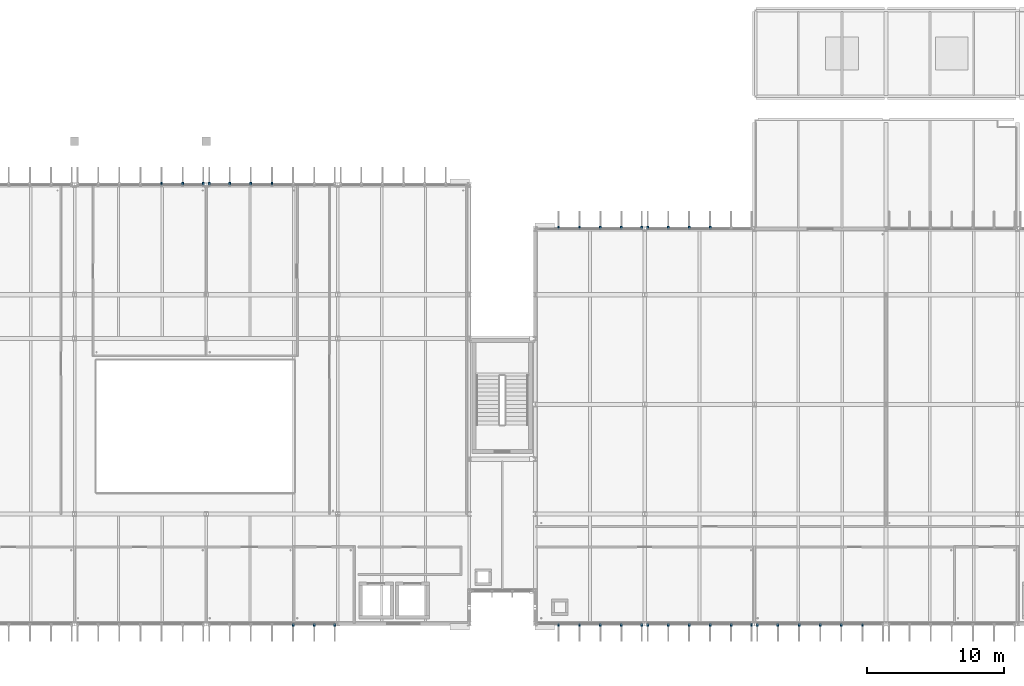
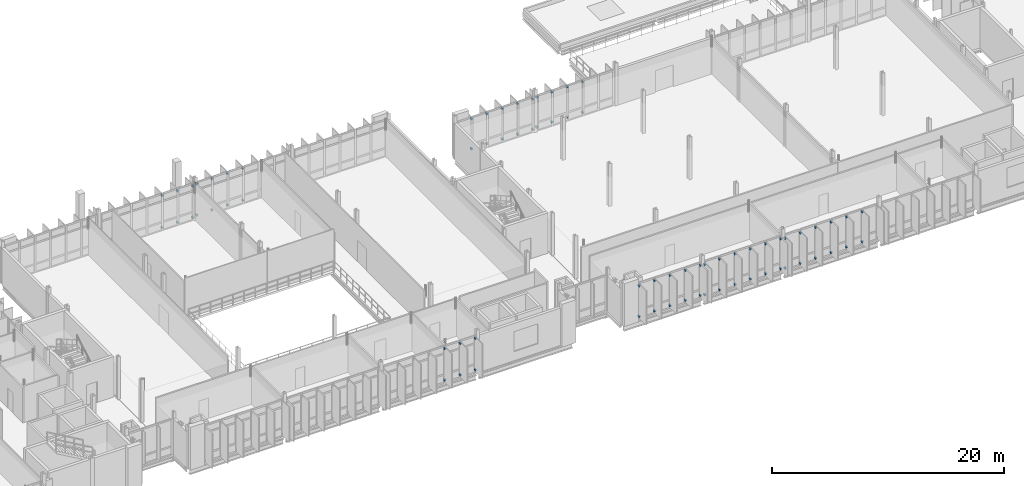
# One storey, part 96 of 110: 72 discrete accessories.
"""IFC4 building model written with IfcOpenShell, lengths in metres."""

from ifc_helpers import new_model, si_unit, direction, frame, origin, origin_2d, place, context, subcontext, project, spatial, rectangle, extrude, material, type_object, element, save


model = new_model("IFC4")

# Units and contexts
model_context = context("Model", 3, precision=1e-05, world=origin(), true_north=direction((0.0, 1.0)))
body_context = subcontext(model_context, "Body", "Model", "MODEL_VIEW")
ifc_project = project(units=[si_unit("LENGTHUNIT", "METRE"), si_unit("AREAUNIT", "SQUARE_METRE"), si_unit("VOLUMEUNIT", "CUBIC_METRE"), si_unit("PLANEANGLEUNIT", "RADIAN"), si_unit("MASSUNIT", "GRAM", prefix="KILO")], contexts=[model_context])

# Site, building, storey
site_placement = place(None, origin())
site = spatial("IfcSite", under=ifc_project, at=site_placement, CompositionType="ELEMENT")
building_placement = place(site_placement, origin())
building = spatial("IfcBuilding", under=site, at=building_placement, Name="Dunescarp Central Library", CompositionType="ELEMENT")
storey_placement = place(building_placement, frame((0.0, 0.0, 9.60009765625)))
storey = spatial("IfcBuildingStorey", under=building, at=storey_placement, Name="L02", CompositionType="ELEMENT", Elevation=9.60009765625)

# Discrete accessories
ifc_material = material(Name="Stainless steel Grade 316L", Category="steel")
discrete_accessory_type = type_object("IfcDiscreteAccessoryType", Name="ARC-ACC-BRK", PredefinedType="BRACKET", material=ifc_material)
for number, where, z_axis, x_axis, name in (
    (1, (66.985107421875, 4.719970703125, 0.27685546875), (0.0, 0.0, 1.0), (0.0, -1.0, 0.0), "Fin bracket BRK-FIN-L02-0391-B"),
    (2, (66.985107421875, 4.719970703125, 3.5947265625), (0.0, 0.0, 1.0), (0.0, -1.0, 0.0), "Fin bracket BRK-FIN-L02-0391-T"),
    (3, (65.48291015625, 4.719970703125, 0.2900390625), (0.0, 0.0, 1.0), (0.0, -1.0, 0.0), "Fin bracket BRK-FIN-L02-0392-B"),
    (4, (65.48291015625, 4.719970703125, 3.5947265625), (0.0, 0.0, 1.0), (0.0, -1.0, 0.0), "Fin bracket BRK-FIN-L02-0392-T"),
    (5, (63.94189453125, 4.719970703125, 0.27392578125), (0.0, 0.0, 1.0), (0.0, -1.0, 0.0), "Fin bracket BRK-FIN-L02-0393-B"),
    (6, (63.94189453125, 4.719970703125, 3.5947265625), (0.0, 0.0, 1.0), (0.0, -1.0, 0.0), "Fin bracket BRK-FIN-L02-0393-T"),
    (7, (54.342041015625, 36.8798828125, 0.18994140625), (0.0, 0.0, 1.0), (0.0, 1.0, 0.0), "Fin bracket BRK-FIN-L02-0408-B"),
    (8, (54.342041015625, 36.8798828125, 3.583984375), (0.0, 0.0, 1.0), (0.0, 1.0, 0.0), "Fin bracket BRK-FIN-L02-0408-T"),
    (9, (55.883056640625, 36.8798828125, 0.18994140625), (0.0, 0.0, 1.0), (0.0, 1.0, 0.0), "Fin bracket BRK-FIN-L02-0409-B"),
    (10, (55.883056640625, 36.8798828125, 3.5341796875), (0.0, 0.0, 1.0), (0.0, 1.0, 0.0), "Fin bracket BRK-FIN-L02-0409-T"),
    (11, (57.385009765625, 36.8798828125, 0.18994140625), (0.0, 0.0, 1.0), (0.0, 1.0, 0.0), "Fin bracket BRK-FIN-L02-0410-B"),
    (12, (57.385009765625, 36.8798828125, 3.5009765625), (0.0, 0.0, 1.0), (0.0, 1.0, 0.0), "Fin bracket BRK-FIN-L02-0410-T"),
    (13, (57.81494140625, 36.8798828125, 0.27685546875), (0.0, 0.0, 1.0), (0.0, 1.0, 0.0), "Fin bracket BRK-FIN-L02-0411-B"),
    (14, (57.81494140625, 36.8798828125, 3.5947265625), (0.0, 0.0, 1.0), (0.0, 1.0, 0.0), "Fin bracket BRK-FIN-L02-0411-T"),
    (15, (59.31689453125, 36.8798828125, 0.2900390625), (0.0, 0.0, 1.0), (0.0, 1.0, 0.0), "Fin bracket BRK-FIN-L02-0412-B"),
    (16, (59.31689453125, 36.8798828125, 3.5947265625), (0.0, 0.0, 1.0), (0.0, 1.0, 0.0), "Fin bracket BRK-FIN-L02-0412-T"),
    (17, (60.85791015625, 36.8798828125, 0.27392578125), (0.0, 0.0, 1.0), (0.0, 1.0, 0.0), "Fin bracket BRK-FIN-L02-0413-B"),
    (18, (60.85791015625, 36.8798828125, 3.5947265625), (0.0, 0.0, 1.0), (0.0, 1.0, 0.0), "Fin bracket BRK-FIN-L02-0413-T"),
    (19, (62.39990234375, 36.8798828125, 0.23291015625), (0.0, 0.0, 1.0), (0.0, 1.0, 0.0), "Fin bracket BRK-FIN-L02-0414-B"),
    (20, (62.39990234375, 36.8798828125, 3.5947265625), (0.0, 0.0, 1.0), (0.0, 1.0, 0.0), "Fin bracket BRK-FIN-L02-0414-T"),
    (21, (89.385009765625, 4.719970703125, 0.27685546875), (0.0, 0.0, 1.0), (0.0, -1.0, 0.0), "Fin bracket BRK-FIN-L02-0616-B"),
    (22, (89.385009765625, 4.719970703125, 3.44482421875), (0.0, 0.0, 1.0), (0.0, -1.0, 0.0), "Fin bracket BRK-FIN-L02-0616-T"),
    (23, (87.89501953125, 4.719970703125, 0.2900390625), (0.0, 0.0, 1.0), (0.0, -1.0, 0.0), "Fin bracket BRK-FIN-L02-0617-B"),
    (24, (87.89501953125, 4.719970703125, 3.44482421875), (0.0, 0.0, 1.0), (0.0, -1.0, 0.0), "Fin bracket BRK-FIN-L02-0617-T"),
    (25, (86.364990234375, 4.719970703125, 0.27392578125), (0.0, 0.0, 1.0), (0.0, -1.0, 0.0), "Fin bracket BRK-FIN-L02-0618-B"),
    (26, (86.364990234375, 4.719970703125, 3.44482421875), (0.0, 0.0, 1.0), (0.0, -1.0, 0.0), "Fin bracket BRK-FIN-L02-0618-T"),
    (27, (84.8349609375, 4.719970703125, 0.23291015625), (0.0, 0.0, 1.0), (0.0, -1.0, 0.0), "Fin bracket BRK-FIN-L02-0619-B"),
    (28, (84.8349609375, 4.719970703125, 3.44482421875), (0.0, 0.0, 1.0), (0.0, -1.0, 0.0), "Fin bracket BRK-FIN-L02-0619-T"),
    (29, (83.304931640625, 4.719970703125, 0.18994140625), (0.0, 0.0, 1.0), (0.0, -1.0, 0.0), "Fin bracket BRK-FIN-L02-0620-B"),
    (30, (83.304931640625, 4.719970703125, 3.43408203125), (0.0, 0.0, 1.0), (0.0, -1.0, 0.0), "Fin bracket BRK-FIN-L02-0620-T"),
    (31, (97.385009765625, 4.719970703125, 0.27685546875), (0.0, 0.0, 1.0), (0.0, -1.0, 0.0), "Fin bracket BRK-FIN-L02-0621-B"),
    (32, (97.385009765625, 4.719970703125, 3.44482421875), (0.0, 0.0, 1.0), (0.0, -1.0, 0.0), "Fin bracket BRK-FIN-L02-0621-T"),
    (33, (95.89501953125, 4.719970703125, 0.2900390625), (0.0, 0.0, 1.0), (0.0, -1.0, 0.0), "Fin bracket BRK-FIN-L02-0622-B"),
    (34, (95.89501953125, 4.719970703125, 3.44482421875), (0.0, 0.0, 1.0), (0.0, -1.0, 0.0), "Fin bracket BRK-FIN-L02-0622-T"),
    (35, (94.364990234375, 4.719970703125, 0.27392578125), (0.0, 0.0, 1.0), (0.0, -1.0, 0.0), "Fin bracket BRK-FIN-L02-0623-B"),
    (36, (94.364990234375, 4.719970703125, 3.44482421875), (0.0, 0.0, 1.0), (0.0, -1.0, 0.0), "Fin bracket BRK-FIN-L02-0623-T"),
    (37, (92.8349609375, 4.719970703125, 0.23291015625), (0.0, 0.0, 1.0), (0.0, -1.0, 0.0), "Fin bracket BRK-FIN-L02-0624-B"),
    (38, (92.8349609375, 4.719970703125, 3.44482421875), (0.0, 0.0, 1.0), (0.0, -1.0, 0.0), "Fin bracket BRK-FIN-L02-0624-T"),
    (39, (91.304931640625, 4.719970703125, 0.18994140625), (0.0, 0.0, 1.0), (0.0, -1.0, 0.0), "Fin bracket BRK-FIN-L02-0625-B"),
    (40, (91.304931640625, 4.719970703125, 3.43408203125), (0.0, 0.0, 1.0), (0.0, -1.0, 0.0), "Fin bracket BRK-FIN-L02-0625-T"),
    (41, (89.81494140625, 4.719970703125, 0.18994140625), (0.0, 0.0, 1.0), (0.0, -1.0, 0.0), "Fin bracket BRK-FIN-L02-0626-B"),
    (42, (89.81494140625, 4.719970703125, 3.3837890625), (0.0, 0.0, 1.0), (0.0, -1.0, 0.0), "Fin bracket BRK-FIN-L02-0626-T"),
    (43, (105.48291015625, 4.719970703125, 0.2900390625), (0.0, 0.0, 1.0), (0.0, -1.0, 0.0), "Fin bracket BRK-FIN-L02-0628-B"),
    (44, (105.48291015625, 4.719970703125, 3.44482421875), (0.0, 0.0, 1.0), (0.0, -1.0, 0.0), "Fin bracket BRK-FIN-L02-0628-T"),
    (45, (103.94189453125, 4.719970703125, 0.27392578125), (0.0, 0.0, 1.0), (0.0, -1.0, 0.0), "Fin bracket BRK-FIN-L02-0629-B"),
    (46, (103.94189453125, 4.719970703125, 3.44482421875), (0.0, 0.0, 1.0), (0.0, -1.0, 0.0), "Fin bracket BRK-FIN-L02-0629-T"),
    (47, (102.39990234375, 4.719970703125, 0.23291015625), (0.0, 0.0, 1.0), (0.0, -1.0, 0.0), "Fin bracket BRK-FIN-L02-0630-B"),
    (48, (102.39990234375, 4.719970703125, 3.44482421875), (0.0, 0.0, 1.0), (0.0, -1.0, 0.0), "Fin bracket BRK-FIN-L02-0630-T"),
    (49, (100.85791015625, 4.719970703125, 0.18994140625), (0.0, 0.0, 1.0), (0.0, -1.0, 0.0), "Fin bracket BRK-FIN-L02-0631-B"),
    (50, (100.85791015625, 4.719970703125, 3.43408203125), (0.0, 0.0, 1.0), (0.0, -1.0, 0.0), "Fin bracket BRK-FIN-L02-0631-T"),
    (51, (99.31689453125, 4.719970703125, 0.18994140625), (0.0, 0.0, 1.0), (0.0, -1.0, 0.0), "Fin bracket BRK-FIN-L02-0632-B"),
    (52, (99.31689453125, 4.719970703125, 3.3837890625), (0.0, 0.0, 1.0), (0.0, -1.0, 0.0), "Fin bracket BRK-FIN-L02-0632-T"),
    (53, (97.81494140625, 4.719970703125, 0.18994140625), (0.0, 0.0, 1.0), (0.0, -1.0, 0.0), "Fin bracket BRK-FIN-L02-0633-B"),
    (54, (97.81494140625, 4.719970703125, 3.35107421875), (0.0, 0.0, 1.0), (0.0, -1.0, 0.0), "Fin bracket BRK-FIN-L02-0633-T"),
    (55, (83.304931640625, 33.679931640625, 0.2900390625), (0.0, 0.0, 1.0), (0.0, 1.0, 0.0), "Fin bracket BRK-FIN-L02-0641-B"),
    (56, (83.304931640625, 33.679931640625, 3.44482421875), (0.0, 0.0, 1.0), (0.0, 1.0, 0.0), "Fin bracket BRK-FIN-L02-0641-T"),
    (57, (84.8349609375, 33.679931640625, 0.27392578125), (0.0, 0.0, 1.0), (0.0, 1.0, 0.0), "Fin bracket BRK-FIN-L02-0642-B"),
    (58, (84.8349609375, 33.679931640625, 3.44482421875), (0.0, 0.0, 1.0), (0.0, 1.0, 0.0), "Fin bracket BRK-FIN-L02-0642-T"),
    (59, (86.364990234375, 33.679931640625, 0.23291015625), (0.0, 0.0, 1.0), (0.0, 1.0, 0.0), "Fin bracket BRK-FIN-L02-0643-B"),
    (60, (86.364990234375, 33.679931640625, 3.44482421875), (0.0, 0.0, 1.0), (0.0, 1.0, 0.0), "Fin bracket BRK-FIN-L02-0643-T"),
    (61, (87.89501953125, 33.679931640625, 0.18994140625), (0.0, 0.0, 1.0), (0.0, 1.0, 0.0), "Fin bracket BRK-FIN-L02-0644-B"),
    (62, (87.89501953125, 33.679931640625, 3.43408203125), (0.0, 0.0, 1.0), (0.0, 1.0, 0.0), "Fin bracket BRK-FIN-L02-0644-T"),
    (63, (89.385009765625, 33.679931640625, 0.18994140625), (0.0, 0.0, 1.0), (0.0, 1.0, 0.0), "Fin bracket BRK-FIN-L02-0645-B"),
    (64, (89.385009765625, 33.679931640625, 3.3837890625), (0.0, 0.0, 1.0), (0.0, 1.0, 0.0), "Fin bracket BRK-FIN-L02-0645-T"),
    (65, (89.81494140625, 33.679931640625, 0.27685546875), (0.0, 0.0, 1.0), (0.0, 1.0, 0.0), "Fin bracket BRK-FIN-L02-0646-B"),
    (66, (89.81494140625, 33.679931640625, 3.44482421875), (0.0, 0.0, 1.0), (0.0, 1.0, 0.0), "Fin bracket BRK-FIN-L02-0646-T"),
    (67, (91.304931640625, 33.679931640625, 0.2900390625), (0.0, 0.0, 1.0), (0.0, 1.0, 0.0), "Fin bracket BRK-FIN-L02-0647-B"),
    (68, (91.304931640625, 33.679931640625, 3.44482421875), (0.0, 0.0, 1.0), (0.0, 1.0, 0.0), "Fin bracket BRK-FIN-L02-0647-T"),
    (69, (92.8349609375, 33.679931640625, 0.27392578125), (0.0, 0.0, 1.0), (0.0, 1.0, 0.0), "Fin bracket BRK-FIN-L02-0648-B"),
    (70, (92.8349609375, 33.679931640625, 3.44482421875), (0.0, 0.0, 1.0), (0.0, 1.0, 0.0), "Fin bracket BRK-FIN-L02-0648-T"),
    (71, (94.364990234375, 33.679931640625, 0.23291015625), (0.0, 0.0, 1.0), (0.0, 1.0, 0.0), "Fin bracket BRK-FIN-L02-0649-B"),
    (72, (94.364990234375, 33.679931640625, 3.44482421875), (0.0, 0.0, 1.0), (0.0, 1.0, 0.0), "Fin bracket BRK-FIN-L02-0649-T"),
):
    element("IfcDiscreteAccessory", number, at=place(storey_placement, frame(where, z_axis=z_axis, x_axis=x_axis)), inside=storey, type_object=discrete_accessory_type, Name=name, PredefinedType="BRACKET", context=body_context, shape_type="SweptSolid", body=[
        extrude(rectangle(XDim=0.219970703125, YDim=0.139892578125, at=origin_2d()), origin(), (0.0, 0.0, 1.0), 0.139892578125),
    ])

save(model, "model.ifc")
